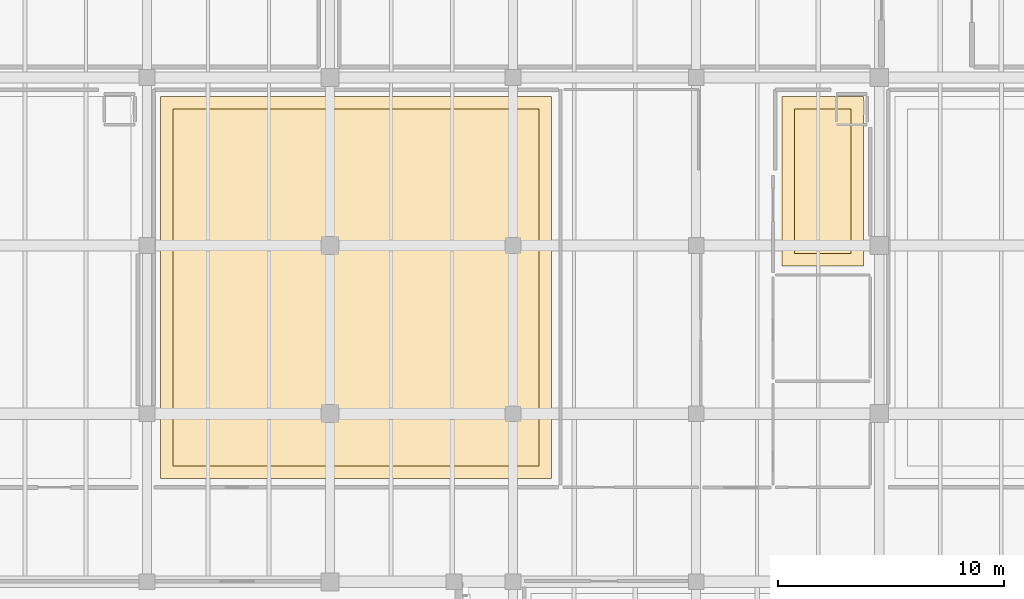
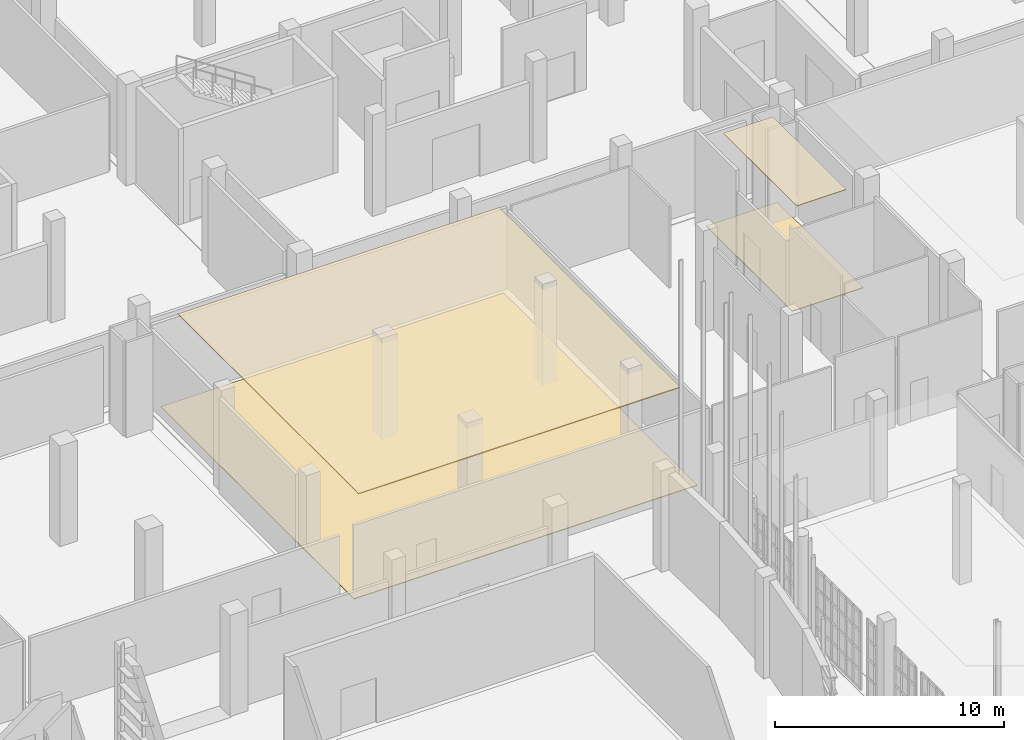
# One storey, part 369 of 372: 4 coverings.
"""IFC4 building model written with IfcOpenShell, lengths in metres."""

from ifc_helpers import new_model, si_unit, direction, frame, origin, place, context, subcontext, project, spatial, polyline, outline, extrude, material, layer, layer_set, type_object, element, save


model = new_model("IFC4")

# Units and contexts
model_context = context("Model", 3, precision=1e-05, world=origin(), true_north=direction((0.0, 1.0)))
body_context = subcontext(model_context, "Body", "Model", "MODEL_VIEW")
ifc_project = project(units=[si_unit("LENGTHUNIT", "METRE"), si_unit("AREAUNIT", "SQUARE_METRE"), si_unit("VOLUMEUNIT", "CUBIC_METRE"), si_unit("PLANEANGLEUNIT", "RADIAN"), si_unit("MASSUNIT", "GRAM", prefix="KILO")], contexts=[model_context])

# Site, building, storey
site_placement = place(None, origin())
site = spatial("IfcSite", under=ifc_project, at=site_placement, CompositionType="ELEMENT")
building_placement = place(site_placement, origin())
building = spatial("IfcBuilding", under=site, at=building_placement, Name="Kaelora Sail Theatre", CompositionType="ELEMENT")
storey_placement = place(building_placement, origin())
storey = spatial("IfcBuildingStorey", under=building, at=storey_placement, Name="L00", CompositionType="ELEMENT", Elevation=0.0)

# Coverings
ifc_material_1 = material(Name="Micro-perforated timber acoustic reflector", Category="wood")
ifc_layer_1 = layer(ifc_material_1, 0.050048828125)
ifc_layer_set_1 = layer_set([ifc_layer_1], Name="Micro-perforated timber acoustic reflector")
covering_type_1 = type_object("IfcCoveringType", Name="ARC-COV-CLG-AC-50", PredefinedType="CEILING", material=ifc_layer_set_1)
covering_1_placement = place(storey_placement, frame((0.0, 0.0, 5.070068359375)))
element("IfcCovering", 1, at=covering_1_placement, inside=storey, type_object=covering_type_1, Name="Acoustic ceiling L00-BAR-STALLS", PredefinedType="CEILING", context=body_context, shape_type="SweptSolid", body=[
    extrude(outline(polyline([(91.75, 66.14990234375), (107.949951171875, 66.14990234375), (107.949951171875, 81.949951171875), (91.75, 81.949951171875), (91.75, 66.14990234375)])), origin(), (0.0, 0.0, 1.0), 0.050048828125),
])
ifc_material_2 = material(Name="Suspended acoustic mineral-fibre ceiling", Category="gypsum")
ifc_layer_2 = layer(ifc_material_2, 0.034912109375)
ifc_layer_set_2 = layer_set([ifc_layer_2], Name="Suspended acoustic mineral-fibre ceiling")
covering_type_2 = type_object("IfcCoveringType", Name="ARC-COV-CLG-GYP-35", PredefinedType="CEILING", material=ifc_layer_set_2)
covering_2_placement = place(storey_placement, frame((0.0, 0.0, 5.0849609375)))
element("IfcCovering", 2, at=covering_2_placement, inside=storey, type_object=covering_type_2, Name="Acoustic ceiling L00-CLOAK-G", PredefinedType="CEILING", context=body_context, shape_type="SweptSolid", body=[
    extrude(outline(polyline([(119.25, 75.550048828125), (121.75, 75.550048828125), (121.75, 81.949951171875), (119.25, 81.949951171875), (119.25, 75.550048828125)])), origin(), (0.0, 0.0, 1.0), 0.03515625),
])
ifc_material_3 = material(Name="Polished basalt-terrazzo foyer flooring", Category="masonry")
ifc_layer_3 = layer(ifc_material_3, 0.031982421875)
ifc_layer_set_3 = layer_set([ifc_layer_3], Name="Polished basalt-terrazzo foyer flooring")
covering_type_3 = type_object("IfcCoveringType", Name="ARC-COV-FLR-TRZ-32", PredefinedType="FLOORING", material=ifc_layer_set_3)
covering_3_placement = place(storey_placement, origin())
element("IfcCovering", 3, at=covering_3_placement, inside=storey, type_object=covering_type_3, Name="Architectural flooring L00-BAR-STALLS", PredefinedType="FLOORING", context=body_context, shape_type="SweptSolid", body=[
    extrude(outline(polyline([(91.199951171875, 65.60009765625), (108.5, 65.60009765625), (108.5, 82.5), (91.199951171875, 82.5), (91.199951171875, 65.60009765625)])), origin(), (0.0, 0.0, 1.0), 0.031982421875),
])
covering_4_placement = place(storey_placement, origin())
element("IfcCovering", 4, at=covering_4_placement, inside=storey, type_object=covering_type_3, Name="Architectural flooring L00-CLOAK-G", PredefinedType="FLOORING", context=body_context, shape_type="SweptSolid", body=[
    extrude(outline(polyline([(118.699951171875, 75.0), (122.300048828125, 75.0), (122.300048828125, 82.5), (118.699951171875, 82.5), (118.699951171875, 75.0)])), origin(), (0.0, 0.0, 1.0), 0.031982421875),
])

save(model, "model.ifc")
